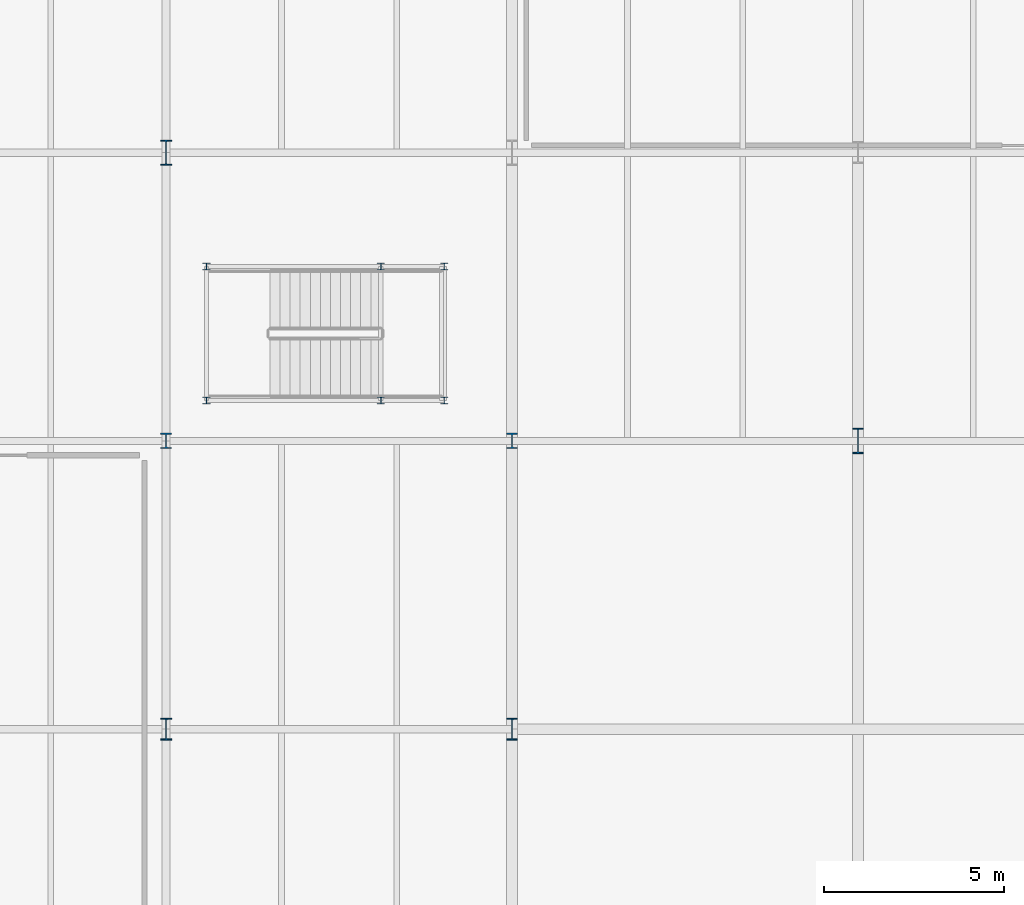
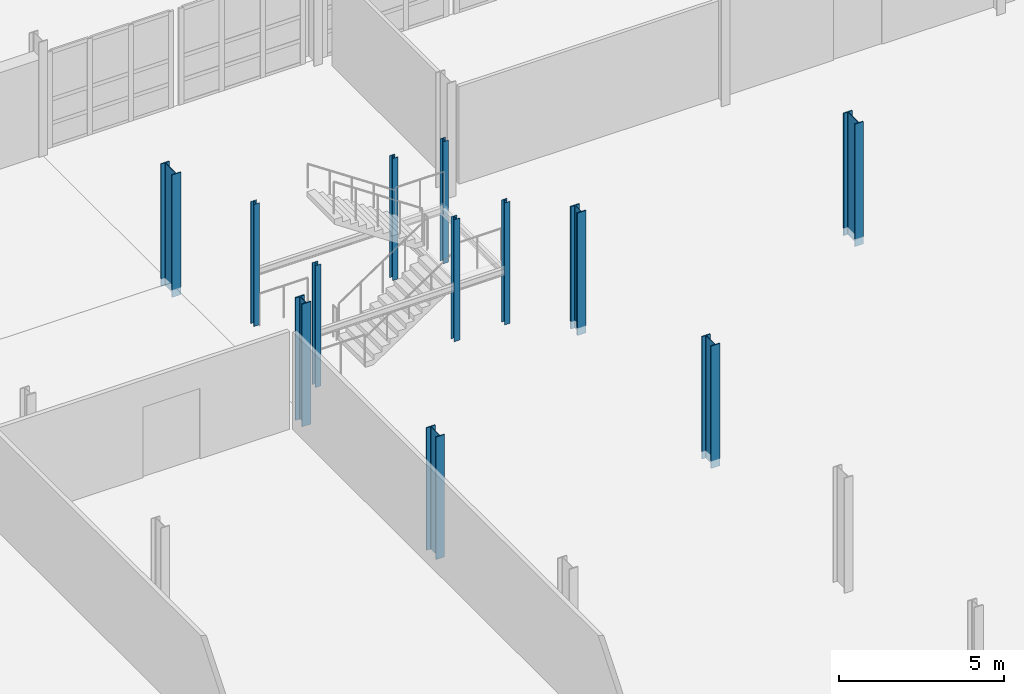
# One storey, part 18 of 78: 12 columns.
"""IFC4 building model written with IfcOpenShell, lengths in metres."""

from ifc_helpers import new_model, si_unit, direction, frame, origin, origin_2d, place, context, subcontext, project, spatial, i_section, extrude, material, material_profile, profile_set, type_object, element, save


model = new_model("IFC4")

# Units and contexts
model_context = context("Model", 3, precision=1e-05, world=origin(), true_north=direction((0.0, 1.0)))
body_context = subcontext(model_context, "Body", "Model", "MODEL_VIEW")
ifc_project = project(units=[si_unit("LENGTHUNIT", "METRE"), si_unit("AREAUNIT", "SQUARE_METRE"), si_unit("VOLUMEUNIT", "CUBIC_METRE"), si_unit("PLANEANGLEUNIT", "RADIAN"), si_unit("MASSUNIT", "GRAM", prefix="KILO")], contexts=[model_context])

# Site, building, storey
site_placement = place(None, origin())
site = spatial("IfcSite", under=ifc_project, at=site_placement, CompositionType="ELEMENT")
building_placement = place(site_placement, origin())
building = spatial("IfcBuilding", under=site, at=building_placement, Name="Alderhovde Museum", CompositionType="ELEMENT")
storey_placement = place(building_placement, origin())
storey = spatial("IfcBuildingStorey", under=building, at=storey_placement, Name="L00", CompositionType="ELEMENT", Elevation=0.0)

# Columns
ifc_material_1 = material(Name="Steel S355J2", Category="steel")
ifc_material_profile_1 = material_profile(ifc_material_1, i_section(OverallWidth=0.199951171875, OverallDepth=0.18994140625, WebThickness=0.006591796875, FlangeThickness=0.010009765625, FilletRadius=0.01806640625, at=origin_2d()), Name="HEA 200")
ifc_profile_set_1 = profile_set([ifc_material_profile_1], Name="Steel S355J2")
column_type_1 = type_object("IfcColumnType", Name="COL-HEA200", PredefinedType="COLUMN", material=ifc_profile_set_1)
for number, where, z_axis, x_axis, name in (
    (1, (77.919921875, 73.1201171875, 0.0), (0.0, 0.0, 1.0), (1.0, 0.0, 0.0), "L00 Stair ST5 Shaft Column 1"),
    (2, (84.52001953125, 73.1201171875, 0.0), (0.0, 0.0, 1.0), (1.0, 0.0, 0.0), "L00 Stair ST5 Shaft Column 2"),
    (3, (84.52001953125, 76.840087890625, 0.0), (0.0, 0.0, 1.0), (1.0, 0.0, 0.0), "L00 Stair ST5 Shaft Column 3"),
    (4, (77.919921875, 76.840087890625, 0.0), (0.0, 0.0, 1.0), (1.0, 0.0, 0.0), "L00 Stair ST5 Shaft Column 4"),
    (5, (82.760009765625, 73.1201171875, 0.0), (0.0, 0.0, 1.0), (1.0, 0.0, 0.0), "L00 Stair ST5 Shaft Column 5"),
    (6, (82.760009765625, 76.840087890625, 0.0), (0.0, 0.0, 1.0), (1.0, 0.0, 0.0), "L00 Stair ST5 Shaft Column 6"),
):
    element("IfcColumn", number, at=place(storey_placement, frame(where, z_axis=z_axis, x_axis=x_axis)), inside=storey, type_object=column_type_1, Name=name, PredefinedType="COLUMN", context=body_context, shape_type="SweptSolid", body=[
        extrude(i_section(OverallWidth=0.199951171875, OverallDepth=0.18994140625, WebThickness=0.006591796875, FlangeThickness=0.010009765625, FilletRadius=0.01806640625, at=origin_2d()), origin(), (0.0, 0.0, 1.0), 4.5),
    ])
ifc_material_2 = material(Name="Steel S355J2", Category="steel")
ifc_material_profile_2 = material_profile(ifc_material_2, i_section(OverallWidth=0.300048828125, OverallDepth=0.60009765625, WebThickness=0.015380859375, FlangeThickness=0.030029296875, FilletRadius=0.027099609375, at=origin_2d()), Name="HEB 600")
ifc_profile_set_2 = profile_set([ifc_material_profile_2], Name="Steel S355J2")
column_type_2 = type_object("IfcColumnType", Name="COL-HEB600", PredefinedType="COLUMN", material=ifc_profile_set_2)
for number, where, z_axis, x_axis, name in (
    (7, (76.800048828125, 64.0, -0.280029296875), (0.0, 0.0, 1.0), (1.0, 0.0, 0.0), "L00 Column (76.8, 64.0)"),
    (8, (86.39990234375, 64.0, -0.280029296875), (0.0, 0.0, 1.0), (1.0, 0.0, 0.0), "L00 Column (86.4, 64.0)"),
):
    element("IfcColumn", number, at=place(storey_placement, frame(where, z_axis=z_axis, x_axis=x_axis)), inside=storey, type_object=column_type_2, Name=name, PredefinedType="COLUMN", context=body_context, shape_type="SweptSolid", body=[
        extrude(i_section(OverallWidth=0.300048828125, OverallDepth=0.60009765625, WebThickness=0.015380859375, FlangeThickness=0.030029296875, FilletRadius=0.027099609375, at=origin_2d()), origin(), (0.0, 0.0, 1.0), 4.52001953125),
    ])
ifc_material_3 = material(Name="Steel S355J2", Category="steel")
ifc_material_profile_3 = material_profile(ifc_material_3, i_section(OverallWidth=0.300048828125, OverallDepth=0.699951171875, WebThickness=0.01708984375, FlangeThickness=0.031982421875, FilletRadius=0.027099609375, at=origin_2d()), Name="HEB 700")
ifc_profile_set_3 = profile_set([ifc_material_profile_3], Name="Steel S355J2")
column_type_3 = type_object("IfcColumnType", Name="COL-HEB700", PredefinedType="COLUMN", material=ifc_profile_set_3)
for number, where, z_axis, x_axis, name in (
    (9, (76.800048828125, 80.0, -0.280029296875), (0.0, 0.0, 1.0), (1.0, 0.0, 0.0), "L00 Column (76.8, 80.0)"),
    (10, (96.0, 72.0, -0.280029296875), (0.0, 0.0, 1.0), (1.0, 0.0, 0.0), "L00 Column (96.0, 72.0)"),
):
    element("IfcColumn", number, at=place(storey_placement, frame(where, z_axis=z_axis, x_axis=x_axis)), inside=storey, type_object=column_type_3, Name=name, PredefinedType="COLUMN", context=body_context, shape_type="SweptSolid", body=[
        extrude(i_section(OverallWidth=0.300048828125, OverallDepth=0.699951171875, WebThickness=0.01708984375, FlangeThickness=0.031982421875, FilletRadius=0.027099609375, at=origin_2d()), origin(), (0.0, 0.0, 1.0), 4.52001953125),
    ])
ifc_material_4 = material(Name="Steel S355J2", Category="steel")
ifc_material_profile_4 = material_profile(ifc_material_4, i_section(OverallWidth=0.306884765625, OverallDepth=0.431884765625, WebThickness=0.02099609375, FlangeThickness=0.0400390625, FilletRadius=0.027099609375, at=origin_2d()), Name="HEM 400")
ifc_profile_set_4 = profile_set([ifc_material_profile_4], Name="Steel S355J2")
column_type_4 = type_object("IfcColumnType", Name="COL-HEM400", PredefinedType="COLUMN", material=ifc_profile_set_4)
for number, where, z_axis, x_axis, name in (
    (11, (76.800048828125, 72.0, -0.280029296875), (0.0, 0.0, 1.0), (1.0, 0.0, 0.0), "L00 Column (76.8, 72.0)"),
    (12, (86.39990234375, 72.0, -0.280029296875), (0.0, 0.0, 1.0), (1.0, 0.0, 0.0), "L00 Column (86.4, 72.0)"),
):
    element("IfcColumn", number, at=place(storey_placement, frame(where, z_axis=z_axis, x_axis=x_axis)), inside=storey, type_object=column_type_4, Name=name, PredefinedType="COLUMN", context=body_context, shape_type="SweptSolid", body=[
        extrude(i_section(OverallWidth=0.306884765625, OverallDepth=0.431884765625, WebThickness=0.02099609375, FlangeThickness=0.0400390625, FilletRadius=0.027099609375, at=origin_2d()), origin(), (0.0, 0.0, 1.0), 4.52001953125),
    ])

save(model, "model.ifc")
